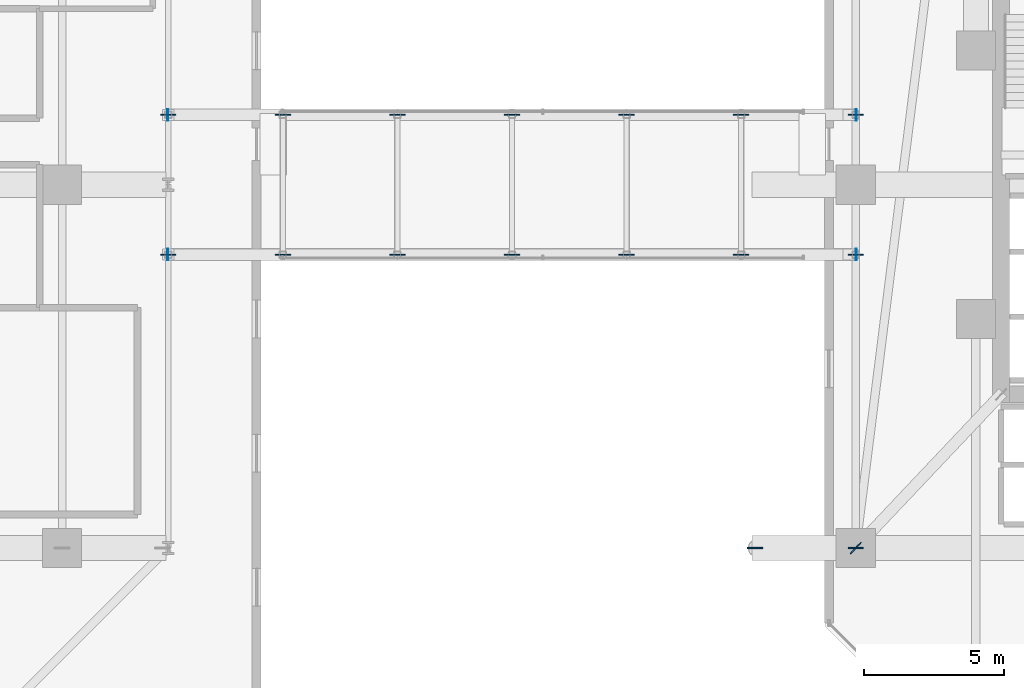
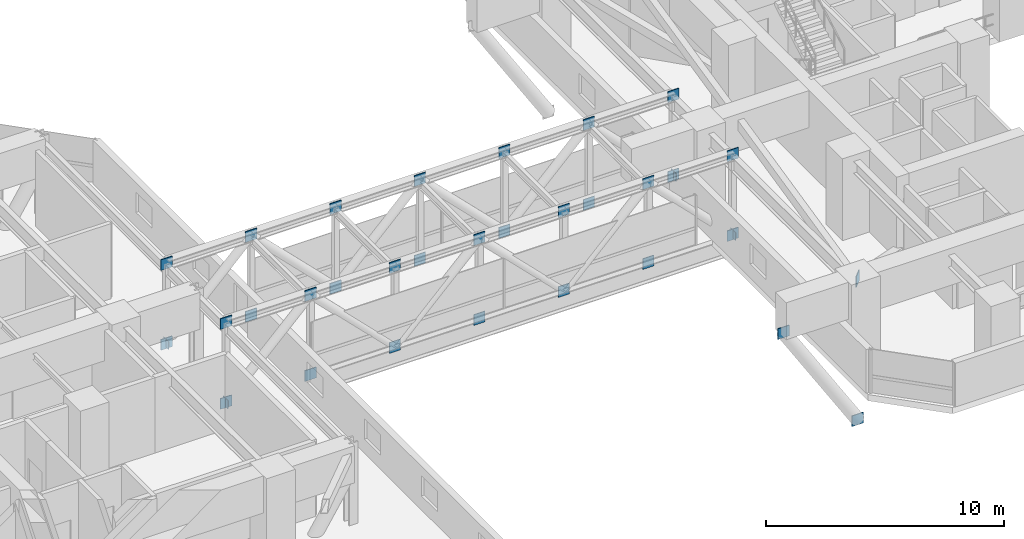
# One storey, part 25 of 38: 35 plates.
"""IFC4 building model written with IfcOpenShell, lengths in metres."""

from ifc_helpers import new_model, si_unit, direction, frame, origin, origin_2d, place, context, subcontext, project, spatial, rectangle, extrude, material, layer, layer_set, type_object, element, save


model = new_model("IFC4")

# Units and contexts
model_context = context("Model", 3, precision=1e-05, world=origin(), true_north=direction((0.0, 1.0)))
body_context = subcontext(model_context, "Body", "Model", "MODEL_VIEW")
ifc_project = project(units=[si_unit("LENGTHUNIT", "METRE"), si_unit("AREAUNIT", "SQUARE_METRE"), si_unit("VOLUMEUNIT", "CUBIC_METRE"), si_unit("PLANEANGLEUNIT", "RADIAN"), si_unit("MASSUNIT", "GRAM", prefix="KILO")], contexts=[model_context])

# Site, building, storey
site_placement = place(None, origin())
site = spatial("IfcSite", under=ifc_project, at=site_placement, CompositionType="ELEMENT")
building_placement = place(site_placement, origin())
building = spatial("IfcBuilding", under=site, at=building_placement, Name="Thornwick Lancets Civic Towers", CompositionType="ELEMENT")
storey_placement = place(building_placement, frame((0.0, 0.0, 71.699951171875)))
storey = spatial("IfcBuildingStorey", under=building, at=storey_placement, Name="L18", CompositionType="ELEMENT", Elevation=71.699951171875)

# Plates
ifc_material_1 = material(Name="Steel S355JR", Category="steel")
ifc_layer_1 = layer(ifc_material_1, 0.02490234375, Name="Steel S355JR")
ifc_layer_set_1 = layer_set([ifc_layer_1], Name="Steel S355JR")
plate_type_1 = type_object("IfcPlateType", Name="PLT_ENDCAP_25", PredefinedType="USERDEFINED", material=ifc_layer_set_1)
for number, where, z_axis, x_axis, name in (
    (1, (46.580078125, 24.5, -0.429931640625), (0.0, 0.0, 1.0), (1.0, 0.0, 0.0), "L18 Skybridge End Cap 1-W"),
    (2, (71.219970703125, 24.5, -0.429931640625), (0.0, 0.0, 1.0), (1.0, 0.0, 0.0), "L18 Skybridge End Cap 1-E"),
    (3, (46.580078125, 29.5, -0.429931640625), (0.0, 0.0, 1.0), (1.0, 0.0, 0.0), "L18 Skybridge End Cap 2-W"),
    (4, (71.219970703125, 29.5, -0.429931640625), (0.0, 0.0, 1.0), (1.0, 0.0, 0.0), "L18 Skybridge End Cap 2-E"),
):
    element("IfcPlate", number, at=place(storey_placement, frame(where, z_axis=z_axis, x_axis=x_axis)), inside=storey, type_object=plate_type_1, Name=name, ObjectType="END_CAP_PLATE", PredefinedType="USERDEFINED", context=body_context, shape_type="SweptSolid", body=[
        extrude(rectangle(XDim=0.02490234375, YDim=0.419921875, at=origin_2d()), origin(), (0.0, 0.0, 1.0), 0.419921875),
    ])
ifc_material_2 = material(Name="Steel S460M", Category="steel")
ifc_layer_2 = layer(ifc_material_2, 0.0400390625, Name="Steel S460M")
ifc_layer_set_2 = layer_set([ifc_layer_2], Name="Steel S460M")
plate_type_2 = type_object("IfcPlateType", Name="PLT_GUSSET_40", PredefinedType="USERDEFINED", material=ifc_layer_set_2)
for number, where, z_axis, x_axis, name in (
    (5, (46.60009765625, 24.5, -0.4951171875), (0.0, 0.0, 1.0), (1.0, 0.0, 0.0), "L18 Brace Connection Gusset Plate 0049"),
    (6, (46.60009765625, 24.5, 3.60498046875), (0.0, 0.0, 1.0), (1.0, 0.0, 0.0), "L18 Brace Connection Gusset Plate 0050"),
    (7, (50.699951171875, 24.5, -0.4951171875), (0.0, 0.0, 1.0), (1.0, 0.0, 0.0), "L18 Brace Connection Gusset Plate 0051"),
    (8, (50.699951171875, 24.5, 3.60498046875), (0.0, 0.0, 1.0), (1.0, 0.0, 0.0), "L18 Brace Connection Gusset Plate 0052"),
    (9, (54.800048828125, 24.5, -0.4951171875), (0.0, 0.0, 1.0), (1.0, 0.0, 0.0), "L18 Brace Connection Gusset Plate 0053"),
    (10, (54.800048828125, 24.5, 3.60498046875), (0.0, 0.0, 1.0), (1.0, 0.0, 0.0), "L18 Brace Connection Gusset Plate 0054"),
    (11, (58.89990234375, 24.5, -0.4951171875), (0.0, 0.0, 1.0), (1.0, 0.0, 0.0), "L18 Brace Connection Gusset Plate 0055"),
    (12, (58.89990234375, 24.5, 3.60498046875), (0.0, 0.0, 1.0), (1.0, 0.0, 0.0), "L18 Brace Connection Gusset Plate 0056"),
    (13, (63.0, 24.5, -0.4951171875), (0.0, 0.0, 1.0), (1.0, 0.0, 0.0), "L18 Brace Connection Gusset Plate 0057"),
    (14, (63.0, 24.5, 3.60498046875), (0.0, 0.0, 1.0), (1.0, 0.0, 0.0), "L18 Brace Connection Gusset Plate 0058"),
    (15, (67.10009765625, 24.5, -0.4951171875), (0.0, 0.0, 1.0), (1.0, 0.0, 0.0), "L18 Brace Connection Gusset Plate 0059"),
    (16, (67.10009765625, 24.5, 3.60498046875), (0.0, 0.0, 1.0), (1.0, 0.0, 0.0), "L18 Brace Connection Gusset Plate 0060"),
    (17, (71.199951171875, 24.5, -0.4951171875), (0.0, 0.0, 1.0), (1.0, 0.0, 0.0), "L18 Brace Connection Gusset Plate 0061"),
    (18, (71.199951171875, 24.5, 3.60498046875), (0.0, 0.0, 1.0), (1.0, 0.0, 0.0), "L18 Brace Connection Gusset Plate 0062"),
    (19, (46.60009765625, 29.5, -0.4951171875), (0.0, 0.0, 1.0), (1.0, 0.0, 0.0), "L18 Brace Connection Gusset Plate 0063"),
    (20, (46.60009765625, 29.5, 3.60498046875), (0.0, 0.0, 1.0), (1.0, 0.0, 0.0), "L18 Brace Connection Gusset Plate 0064"),
    (21, (50.699951171875, 29.5, -0.4951171875), (0.0, 0.0, 1.0), (1.0, 0.0, 0.0), "L18 Brace Connection Gusset Plate 0065"),
    (22, (50.699951171875, 29.5, 3.60498046875), (0.0, 0.0, 1.0), (1.0, 0.0, 0.0), "L18 Brace Connection Gusset Plate 0066"),
    (23, (54.800048828125, 29.5, -0.4951171875), (0.0, 0.0, 1.0), (1.0, 0.0, 0.0), "L18 Brace Connection Gusset Plate 0067"),
    (24, (54.800048828125, 29.5, 3.60498046875), (0.0, 0.0, 1.0), (1.0, 0.0, 0.0), "L18 Brace Connection Gusset Plate 0068"),
    (25, (58.89990234375, 29.5, -0.4951171875), (0.0, 0.0, 1.0), (1.0, 0.0, 0.0), "L18 Brace Connection Gusset Plate 0069"),
    (26, (58.89990234375, 29.5, 3.60498046875), (0.0, 0.0, 1.0), (1.0, 0.0, 0.0), "L18 Brace Connection Gusset Plate 0070"),
    (27, (63.0, 29.5, -0.4951171875), (0.0, 0.0, 1.0), (1.0, 0.0, 0.0), "L18 Brace Connection Gusset Plate 0071"),
    (28, (63.0, 29.5, 3.60498046875), (0.0, 0.0, 1.0), (1.0, 0.0, 0.0), "L18 Brace Connection Gusset Plate 0072"),
    (29, (67.10009765625, 29.5, -0.4951171875), (0.0, 0.0, 1.0), (1.0, 0.0, 0.0), "L18 Brace Connection Gusset Plate 0073"),
    (30, (67.10009765625, 29.5, 3.60498046875), (0.0, 0.0, 1.0), (1.0, 0.0, 0.0), "L18 Brace Connection Gusset Plate 0074"),
    (31, (71.199951171875, 29.5, -0.4951171875), (0.0, 0.0, 1.0), (1.0, 0.0, 0.0), "L18 Brace Connection Gusset Plate 0075"),
    (32, (71.199951171875, 29.5, 3.60498046875), (0.0, 0.0, 1.0), (1.0, 0.0, 0.0), "L18 Brace Connection Gusset Plate 0076"),
    (33, (71.199951171875, 14.0, -3.625), (0.0, 0.0, 1.0), (-1.0, 0.0, 0.0), "L18 Brace Connection Gusset Plate 0093"),
    (34, (67.60009765625, 14.0, 2.10498046875), (0.0, 0.0, 1.0), (-1.0, 0.0, 0.0), "L18 Brace Connection Gusset Plate 0094"),
    (35, (71.199951171875, 14.0, 3.60498046875), (0.0, 0.0, 1.0), (-0.686960689137, -0.726694579297, 0.0), "L18 Brace Connection Gusset Plate 0128"),
):
    element("IfcPlate", number, at=place(storey_placement, frame(where, z_axis=z_axis, x_axis=x_axis)), inside=storey, type_object=plate_type_2, Name=name, ObjectType="GUSSET_PLATE", PredefinedType="USERDEFINED", context=body_context, shape_type="SweptSolid", body=[
        extrude(rectangle(XDim=0.550048828125, YDim=0.0400390625, at=origin_2d()), origin(), (0.0, 0.0, 1.0), 0.550048828125),
    ])

save(model, "model.ifc")
